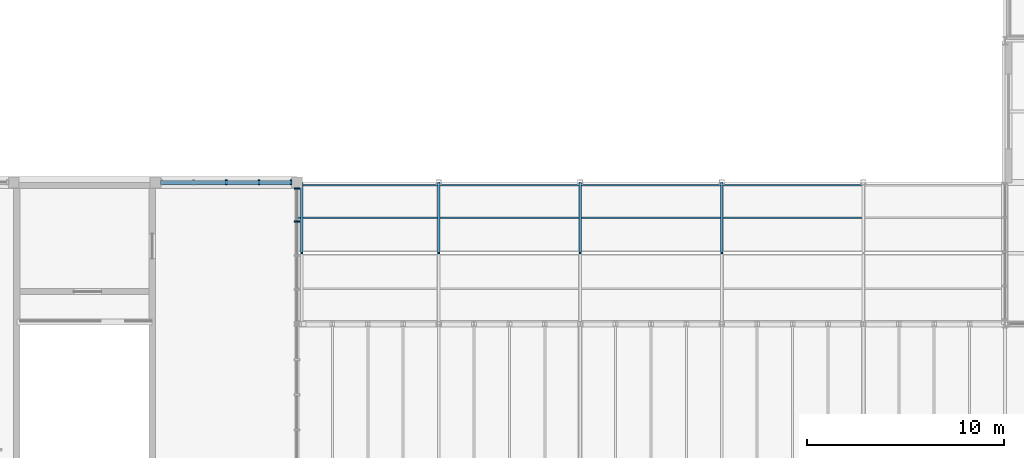
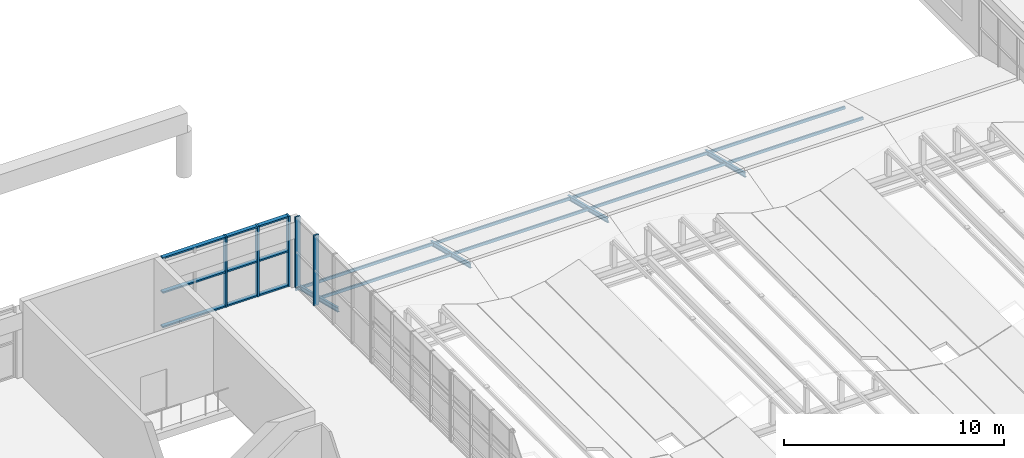
# One storey, part 20 of 83: 20 members, 2 elements without a shape of their own.
"""IFC4 building model written with IfcOpenShell, lengths in metres."""

from ifc_helpers import new_model, si_unit, direction, frame, origin, origin_2d, place, context, subcontext, project, spatial, rectangle, hollow_rectangle, i_section, extrude, material, material_profile, profile_set, type_object, element, aggregate, save


model = new_model("IFC4")

# Units and contexts
model_context = context("Model", 3, precision=1e-05, world=origin(), true_north=direction((0.0, 1.0)))
body_context = subcontext(model_context, "Body", "Model", "MODEL_VIEW")
ifc_project = project(units=[si_unit("LENGTHUNIT", "METRE"), si_unit("AREAUNIT", "SQUARE_METRE"), si_unit("VOLUMEUNIT", "CUBIC_METRE"), si_unit("PLANEANGLEUNIT", "RADIAN"), si_unit("MASSUNIT", "GRAM", prefix="KILO")], contexts=[model_context])

# Site, building, storey
site_placement = place(None, origin())
site = spatial("IfcSite", under=ifc_project, at=site_placement, CompositionType="ELEMENT")
building_placement = place(site_placement, origin())
building = spatial("IfcBuilding", under=site, at=building_placement, Name="Leyfeld Transit Interchange", CompositionType="ELEMENT")
storey_placement = place(building_placement, frame((0.0, 0.0, 5.39990234375)))
storey = spatial("IfcBuildingStorey", under=building, at=storey_placement, Name="L01", CompositionType="ELEMENT", Elevation=5.39990234375)

# Curtain wall, members
ifc_material_1 = material(Name="Anodised aluminium EN AW-6060 T66", Category="aluminium")
curtain_wall_type = type_object("IfcCurtainWallType", Name="CW-SYS-ARC-7200", PredefinedType="NOTDEFINED", material=ifc_material_1)
curtain_wall_1_placement = place(storey_placement, origin())
curtain_wall_1 = element("IfcCurtainWall", 1, at=curtain_wall_1_placement, inside=storey, type_object=curtain_wall_type, Name="Curtain Wall CW-L01-080", PredefinedType="NOTDEFINED")
ifc_material_profile_1 = material_profile(ifc_material_1, rectangle(XDim=0.0849609375, YDim=0.260009765625, at=origin_2d()), Name="CW-M 85x260")
ifc_profile_set_1 = profile_set([ifc_material_profile_1], Name="Anodised aluminium EN AW-6060 T66")
member_type_1 = type_object("IfcMemberType", Name="CW-MUL-220x80", PredefinedType="MULLION", material=ifc_profile_set_1)
member_1_placement = place(storey_placement, frame((97.199951171875, 50.39990234375, 0.0), z_axis=(0.0, 0.0, 1.0), x_axis=(1.0, 0.0, 0.0)))
member_1 = element("IfcMember", 2, at=member_1_placement, type_object=member_type_1, Name="Curtain Mullion CW-L01-080-M03", PredefinedType="MULLION", context=body_context, shape_type="SweptSolid", body=[
    extrude(rectangle(XDim=0.0849609375, YDim=0.260009765625, at=origin_2d()), origin(), (0.0, 0.0, 1.0), 3.900146484375),
])
member_2_placement = place(storey_placement, frame((98.867431640625, 50.39990234375, 0.0), z_axis=(0.0, 0.0, 1.0), x_axis=(1.0, 0.0, 0.0)))
member_2 = element("IfcMember", 3, at=member_2_placement, type_object=member_type_1, Name="Curtain Mullion CW-L01-080-M04", PredefinedType="MULLION", context=body_context, shape_type="SweptSolid", body=[
    extrude(rectangle(XDim=0.0849609375, YDim=0.260009765625, at=origin_2d()), origin(), (0.0, 0.0, 1.0), 3.900146484375),
])
member_3_placement = place(storey_placement, frame((100.492431640625, 50.39990234375, 0.0), z_axis=(0.0, 0.0, 1.0), x_axis=(1.0, 0.0, 0.0)))
member_3 = element("IfcMember", 4, at=member_3_placement, type_object=member_type_1, Name="Curtain Mullion CW-L01-080-M05", PredefinedType="MULLION", context=body_context, shape_type="SweptSolid", body=[
    extrude(rectangle(XDim=0.0849609375, YDim=0.260009765625, at=origin_2d()), origin(), (0.0, 0.0, 1.0), 3.900146484375),
])

curtain_wall_2_placement = place(storey_placement, origin())
curtain_wall_2 = element("IfcCurtainWall", 5, at=curtain_wall_2_placement, inside=storey, type_object=curtain_wall_type, Name="Curtain Wall CW-L01-081", PredefinedType="NOTDEFINED")
member_4_placement = place(storey_placement, frame((100.800048828125, 50.092529296875, 0.0), z_axis=(0.0, 0.0, 1.0), x_axis=(0.0, -1.0, 0.0)))
member_4 = element("IfcMember", 6, at=member_4_placement, type_object=member_type_1, Name="Curtain Mullion CW-L01-081-M01", PredefinedType="MULLION", context=body_context, shape_type="SweptSolid", body=[
    extrude(rectangle(XDim=0.0849609375, YDim=0.260009765625, at=origin_2d()), origin(), (0.0, 0.0, 1.0), 3.900146484375),
])
member_5_placement = place(storey_placement, frame((100.800048828125, 48.40869140625, 0.0), z_axis=(0.0, 0.0, 1.0), x_axis=(0.0, -1.0, 0.0)))
member_5 = element("IfcMember", 7, at=member_5_placement, type_object=member_type_1, Name="Curtain Mullion CW-L01-081-M02", PredefinedType="MULLION", context=body_context, shape_type="SweptSolid", body=[
    extrude(rectangle(XDim=0.0849609375, YDim=0.260009765625, at=origin_2d()), origin(), (0.0, 0.0, 1.0), 3.900146484375),
])
aggregate(curtain_wall_2, [member_4, member_5])

# Member
ifc_material_profile_2 = material_profile(ifc_material_1, rectangle(XDim=0.2099609375, YDim=0.0849609375, at=origin_2d()), Name="CW-TRN-200x80")
ifc_profile_set_2 = profile_set([ifc_material_profile_2], Name="Anodised aluminium EN AW-6060 T66")
member_type_2 = type_object("IfcMemberType", Name="CW-TRN-200x80", PredefinedType="USERDEFINED", material=ifc_profile_set_2)
member_6_placement = place(storey_placement, frame((93.864990234375, 50.39990234375, 0.04248046875), z_axis=(1.0, 0.0, 0.0), x_axis=(0.0, 1.0, 0.0)))
member_6 = element("IfcMember", 8, at=member_6_placement, type_object=member_type_2, Name="Curtain Transom CW-L01-080-T01", ObjectType="TRANSOM", PredefinedType="USERDEFINED", context=body_context, shape_type="SweptSolid", body=[
    extrude(rectangle(XDim=0.2099609375, YDim=0.0849609375, at=origin_2d()), origin(), (0.0, 0.0, 1.0), 6.669921875),
])

member_7_placement = place(storey_placement, frame((93.864990234375, 50.39990234375, 1.9501953125), z_axis=(1.0, 0.0, 0.0), x_axis=(0.0, 1.0, 0.0)))
member_7 = element("IfcMember", 9, at=member_7_placement, type_object=member_type_2, Name="Curtain Transom CW-L01-080-T02", ObjectType="TRANSOM", PredefinedType="USERDEFINED", context=body_context, shape_type="SweptSolid", body=[
    extrude(rectangle(XDim=0.2099609375, YDim=0.0849609375, at=origin_2d()), origin(), (0.0, 0.0, 1.0), 6.669921875),
])

member_8_placement = place(storey_placement, frame((93.864990234375, 50.39990234375, 3.857666015625), z_axis=(1.0, 0.0, 0.0), x_axis=(0.0, 1.0, 0.0)))
member_8 = element("IfcMember", 10, at=member_8_placement, type_object=member_type_2, Name="Curtain Transom CW-L01-080-T03", ObjectType="TRANSOM", PredefinedType="USERDEFINED", context=body_context, shape_type="SweptSolid", body=[
    extrude(rectangle(XDim=0.2099609375, YDim=0.0849609375, at=origin_2d()), origin(), (0.0, 0.0, 1.0), 6.669921875),
])

aggregate(curtain_wall_1, [member_1, member_2, member_3, member_6, member_7, member_8])

# Members
ifc_material_2 = material(Name="Steel S355J2", Category="steel")
ifc_material_profile_3 = material_profile(ifc_material_2, i_section(OverallWidth=0.1201171875, OverallDepth=0.239990234375, WebThickness=0.006103515625, FlangeThickness=0.009765625, FilletRadius=0.014892578125, at=origin_2d()), Name="IPE 240")
ifc_profile_set_3 = profile_set([ifc_material_profile_3], Name="Steel S355J2")
member_type_3 = type_object("IfcMemberType", Name="MEM-PUR-IPE240", PredefinedType="PURLIN", material=ifc_profile_set_3)
for number, where, z_axis, x_axis, name in (
    (11, (101.050048828125, 50.39990234375, -0.27001953125), (0.0, -0.970130888347, 0.242582067503), (1.0, 0.0, 0.0), "Passage Gable Rafter N 01"),
    (12, (108.0, 50.39990234375, -0.27001953125), (0.0, -0.970130888347, 0.242582067503), (1.0, 0.0, 0.0), "Passage Gable Rafter N 02"),
    (13, (115.199951171875, 50.39990234375, -0.27001953125), (0.0, -0.970130888347, 0.242582067503), (1.0, 0.0, 0.0), "Passage Gable Rafter N 03"),
    (14, (122.39990234375, 50.39990234375, -0.27001953125), (0.0, -0.970130888347, 0.242582067503), (1.0, 0.0, 0.0), "Passage Gable Rafter N 04"),
):
    element("IfcMember", number, at=place(storey_placement, frame(where, z_axis=z_axis, x_axis=x_axis)), inside=storey, type_object=member_type_3, Name=name, PredefinedType="PURLIN", context=body_context, shape_type="SweptSolid", body=[
        extrude(i_section(OverallWidth=0.1201171875, OverallDepth=0.239990234375, WebThickness=0.006103515625, FlangeThickness=0.009765625, FilletRadius=0.014892578125, at=origin_2d()), origin(), (0.0, 0.0, 1.0), 3.710693359375),
    ])
ifc_material_profile_4 = material_profile(ifc_material_2, hollow_rectangle(XDim=0.080078125, YDim=0.159912109375, WallThickness=0.008056640625, at=origin_2d()), Name="RHS 160x80x8")
ifc_profile_set_4 = profile_set([ifc_material_profile_4], Name="Steel S355J2")
member_type_4 = type_object("IfcMemberType", Name="MEM-PUR-RHS160", PredefinedType="PURLIN", material=ifc_profile_set_4)
for number, where, z_axis, x_axis, name in (
    (15, (100.800048828125, 48.60009765625, 0.170166015625), (1.0, 0.0, 0.0), (0.0, 1.0, 0.0), "Passage Roof Purlin RN 01"),
    (16, (100.800048828125, 50.25, -0.239990234375), (1.0, 0.0, 0.0), (0.0, 1.0, 0.0), "Passage Roof Purlin EN 01"),
    (17, (108.0, 48.60009765625, 0.170166015625), (1.0, 0.0, 0.0), (0.0, 1.0, 0.0), "Passage Roof Purlin RN 02"),
    (18, (108.0, 50.25, -0.239990234375), (1.0, 0.0, 0.0), (0.0, 1.0, 0.0), "Passage Roof Purlin EN 02"),
    (19, (115.199951171875, 48.60009765625, 0.170166015625), (1.0, 0.0, 0.0), (0.0, 1.0, 0.0), "Passage Roof Purlin RN 03"),
    (20, (115.199951171875, 50.25, -0.239990234375), (1.0, 0.0, 0.0), (0.0, 1.0, 0.0), "Passage Roof Purlin EN 03"),
):
    element("IfcMember", number, at=place(storey_placement, frame(where, z_axis=z_axis, x_axis=x_axis)), inside=storey, type_object=member_type_4, Name=name, PredefinedType="PURLIN", context=body_context, shape_type="SweptSolid", body=[
        extrude(hollow_rectangle(XDim=0.080078125, YDim=0.159912109375, WallThickness=0.008056640625, at=origin_2d()), origin(), (0.0, 0.0, 1.0), 7.199951171875),
    ])
for number, where, z_axis, x_axis, name in (
    (21, (122.39990234375, 48.60009765625, 0.170166015625), (1.0, 0.0, 0.0), (0.0, 1.0, 0.0), "Passage Roof Purlin RN 04"),
    (22, (122.39990234375, 50.25, -0.239990234375), (1.0, 0.0, 0.0), (0.0, 1.0, 0.0), "Passage Roof Purlin EN 04"),
):
    element("IfcMember", number, at=place(storey_placement, frame(where, z_axis=z_axis, x_axis=x_axis)), inside=storey, type_object=member_type_4, Name=name, PredefinedType="PURLIN", context=body_context, shape_type="SweptSolid", body=[
        extrude(hollow_rectangle(XDim=0.080078125, YDim=0.159912109375, WallThickness=0.008056640625, at=origin_2d()), origin(), (0.0, 0.0, 1.0), 7.2001953125),
    ])

save(model, "model.ifc")
